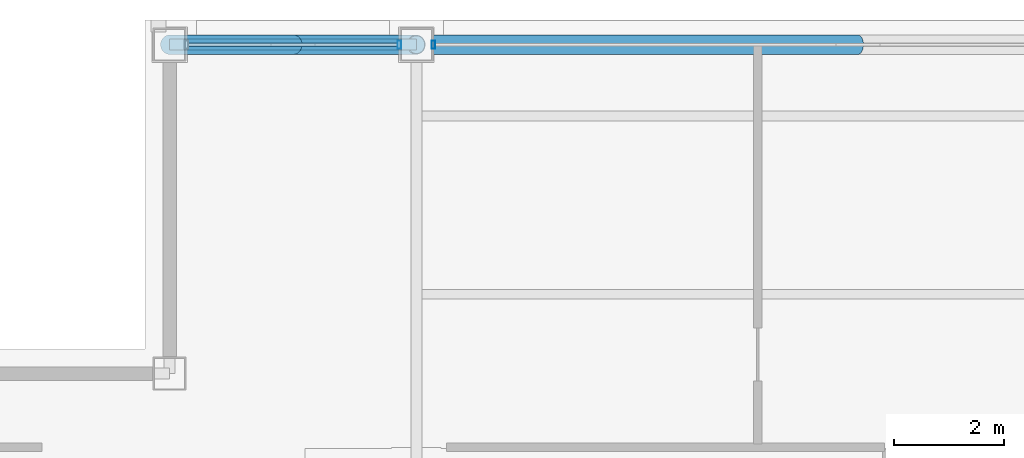
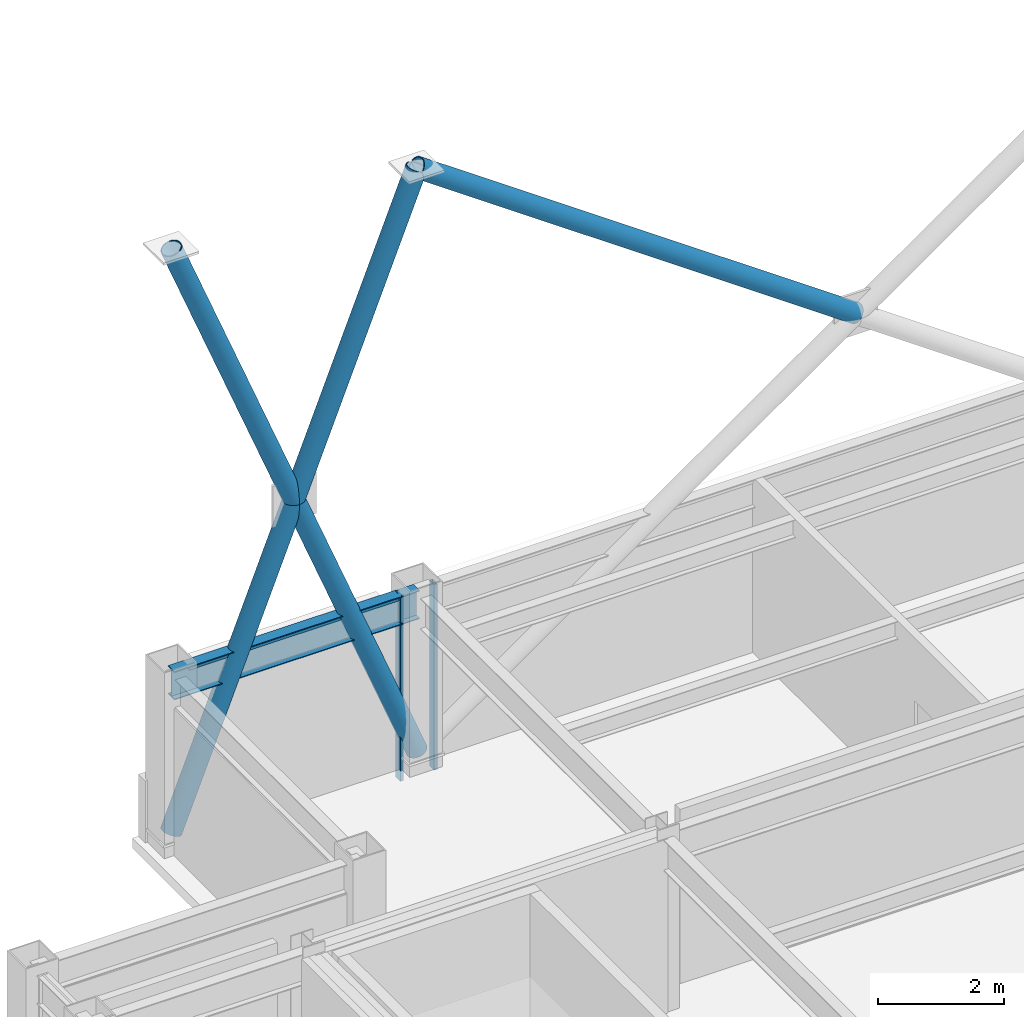
# One storey, part 16 of 24: 7 members, 1 beam, 2 elements without a shape of their own.
"""IFC4 building model written with IfcOpenShell, lengths in metres."""

from ifc_helpers import new_model, si_unit, direction, frame, origin, origin_2d, place, context, subcontext, project, spatial, hollow_rectangle, hollow_circle, i_section, extrude, material, layer, layer_set, material_profile, profile_set, type_object, element, aggregate, save


model = new_model("IFC4")

# Units and contexts
model_context = context("Model", 3, precision=1e-05, world=origin(), true_north=direction((0.0, 1.0)))
body_context = subcontext(model_context, "Body", "Model", "MODEL_VIEW")
ifc_project = project(units=[si_unit("LENGTHUNIT", "METRE"), si_unit("AREAUNIT", "SQUARE_METRE"), si_unit("VOLUMEUNIT", "CUBIC_METRE"), si_unit("PLANEANGLEUNIT", "RADIAN"), si_unit("MASSUNIT", "GRAM", prefix="KILO")], contexts=[model_context])

# Site, building, storey
site_placement = place(None, origin())
site = spatial("IfcSite", under=ifc_project, at=site_placement, CompositionType="ELEMENT")
building_placement = place(site_placement, origin())
building = spatial("IfcBuilding", under=site, at=building_placement, Name="Brelmoor Portico Tower", CompositionType="ELEMENT")
storey_placement = place(building_placement, frame((0.0, 0.0, 268.800048828125)))
storey = spatial("IfcBuildingStorey", under=building, at=storey_placement, Name="L71", CompositionType="ELEMENT", Elevation=268.800048828125)

# Beam
ifc_material_1 = material(Name="Steel Q355B", Category="steel")
ifc_material_profile_1 = material_profile(ifc_material_1, i_section(OverallWidth=0.199951171875, OverallDepth=0.550048828125, WebThickness=0.010009765625, FlangeThickness=0.01611328125, at=origin_2d()), Name="HN 550x200x10x16")
ifc_profile_set_1 = profile_set([ifc_material_profile_1], Name="Steel Q355B")
beam_type = type_object("IfcBeamType", Name="BM-SP-550", PredefinedType="SPANDREL", material=ifc_profile_set_1)
beam_placement = place(storey_placement, frame((-12.550048828125, 17.550048828125, 3.125), z_axis=(1.0, 0.0, 0.0), x_axis=(0.0, 1.0, 0.0)))
element("IfcBeam", 1, at=beam_placement, inside=storey, type_object=beam_type, Name="L71 Perimeter Spandrel Beam SP-08", PredefinedType="SPANDREL", context=body_context, shape_type="SweptSolid", body=[
    extrude(i_section(OverallWidth=0.199951171875, OverallDepth=0.550048828125, WebThickness=0.010009765625, FlangeThickness=0.01611328125, at=origin_2d()), origin(), (0.0, 0.0, 1.0), 4.5),
])

# Members
ifc_material_profile_2 = material_profile(ifc_material_1, hollow_circle(Radius=0.177978515625, WallThickness=0.01611328125, at=origin_2d()), Name="CHS 356x16")
ifc_profile_set_2 = profile_set([ifc_material_profile_2], Name="Steel Q355B")
member_type_1 = type_object("IfcMemberType", Name="MB-BELT-DIAG2", PredefinedType="BRACE", material=ifc_profile_set_2)
member_1_placement = place(storey_placement, frame((-12.550048828125, 17.550048828125, 0.25), z_axis=(0.369971343663, 0.0, 0.929043166311), x_axis=(0.0, 1.0, 0.0)))
element("IfcMember", 2, at=member_1_placement, inside=storey, type_object=member_type_1, Name="L71 Continuous Mega-X Brace 158A", PredefinedType="BRACE", context=body_context, shape_type="SweptSolid", body=[
    extrude(hollow_circle(Radius=0.177978515625, WallThickness=0.01611328125, at=origin_2d()), origin(), (0.0, 0.0, 1.0), 12.1630859375),
])
member_2_placement = place(storey_placement, frame((-8.050048828125, 17.550048828125, 0.25), z_axis=(-0.369978242995, 0.0, 0.929040418771), x_axis=(0.0, -1.0, 0.0)))
element("IfcMember", 3, at=member_2_placement, inside=storey, type_object=member_type_1, Name="L71 Split Mega-X Brace 158B1", PredefinedType="BRACE", context=body_context, shape_type="SweptSolid", body=[
    extrude(hollow_circle(Radius=0.177978515625, WallThickness=0.01611328125, at=origin_2d()), origin(), (0.0, 0.0, 1.0), 6.08154296875),
])
member_3_placement = place(storey_placement, frame((-10.300048828125, 17.550048828125, 5.89990234375), z_axis=(-0.369964444567, 0.0, 0.929045913696), x_axis=(0.0, -1.0, 0.0)))
element("IfcMember", 4, at=member_3_placement, inside=storey, type_object=member_type_1, Name="L71 Split Mega-X Brace 158B2", PredefinedType="BRACE", context=body_context, shape_type="SweptSolid", body=[
    extrude(hollow_circle(Radius=0.177978515625, WallThickness=0.01611328125, at=origin_2d()), origin(), (0.0, 0.0, 1.0), 6.081787109375),
])
member_4_placement = place(storey_placement, frame((0.0, 17.550048828125, 5.89990234375), z_axis=(-0.81850938709, 0.0, 0.57449315335), x_axis=(0.0, -1.0, 0.0)))
element("IfcMember", 5, at=member_4_placement, inside=storey, type_object=member_type_1, Name="L71 Split Mega-X Brace 159B2", PredefinedType="BRACE", context=body_context, shape_type="SweptSolid", body=[
    extrude(hollow_circle(Radius=0.177978515625, WallThickness=0.01611328125, at=origin_2d()), origin(), (0.0, 0.0, 1.0), 9.8349609375),
])

# Curtain wall, member
ifc_material_2 = material(Name="Anodised Aluminium Alloy 6063-T6", Category="aluminium")
ifc_layer = layer(ifc_material_2, 0.179931640625)
ifc_layer_set = layer_set([ifc_layer], Name="Anodised Aluminium Alloy 6063-T6")
curtain_wall_type = type_object("IfcCurtainWallType", Name="CW-TOWER-Z4-XB", PredefinedType="NOTDEFINED", material=ifc_layer_set)
curtain_wall_1_placement = place(storey_placement, origin())
curtain_wall_1 = element("IfcCurtainWall", 6, at=curtain_wall_1_placement, inside=storey, type_object=curtain_wall_type, Name="L71 Curtain Wall CW-L71-02-1", PredefinedType="NOTDEFINED")
ifc_material_profile_3 = material_profile(ifc_material_2, hollow_rectangle(XDim=0.06005859375, YDim=0.14990234375, WallThickness=0.00390625, at=origin_2d()), Name="ALU MULLION 60x150")
ifc_profile_set_3 = profile_set([ifc_material_profile_3], Name="Anodised Aluminium Alloy 6063-T6")
member_type_2 = type_object("IfcMemberType", Name="MB-CW-MULL-150", PredefinedType="MULLION", material=ifc_profile_set_3)
member_5_placement = place(storey_placement, frame((-8.360107421875, 17.550048828125, -0.199951171875), z_axis=(0.0, 0.0, 1.0), x_axis=(1.0, 0.0, 0.0)))
member_5 = element("IfcMember", 7, at=member_5_placement, type_object=member_type_2, Name="CW-L71-02-1 Mullion 01", PredefinedType="MULLION", context=body_context, shape_type="SweptSolid", body=[
    extrude(hollow_rectangle(XDim=0.06005859375, YDim=0.14990234375, WallThickness=0.00390625, at=origin_2d()), origin(), (0.0, 0.0, 1.0), 3.599853515625),
])

curtain_wall_2_placement = place(storey_placement, origin())
curtain_wall_2 = element("IfcCurtainWall", 8, at=curtain_wall_2_placement, inside=storey, type_object=curtain_wall_type, Name="L71 Curtain Wall CW-L71-02-2", PredefinedType="NOTDEFINED")
member_6_placement = place(storey_placement, frame((-7.739990234375, 17.550048828125, -0.199951171875), z_axis=(0.0, 0.0, 1.0), x_axis=(1.0, 0.0, 0.0)))
member_6 = element("IfcMember", 9, at=member_6_placement, type_object=member_type_2, Name="CW-L71-02-2 Mullion 00", PredefinedType="MULLION", context=body_context, shape_type="SweptSolid", body=[
    extrude(hollow_rectangle(XDim=0.06005859375, YDim=0.14990234375, WallThickness=0.00390625, at=origin_2d()), origin(), (0.0, 0.0, 1.0), 3.599853515625),
])
aggregate(curtain_wall_2, [member_6])

# Member
ifc_material_profile_4 = material_profile(ifc_material_2, hollow_rectangle(XDim=0.06005859375, YDim=0.125, WallThickness=0.00341796875, at=origin_2d()), Name="ALU TRANSOM 60x125")
ifc_profile_set_4 = profile_set([ifc_material_profile_4], Name="Anodised Aluminium Alloy 6063-T6")
member_type_3 = type_object("IfcMemberType", Name="MB-CW-TRAN-125", PredefinedType="USERDEFINED", material=ifc_profile_set_4)
member_7_placement = place(storey_placement, frame((-12.239990234375, 17.550048828125, 3.33740234375), z_axis=(1.0, 0.0, 0.0), x_axis=(0.0, 1.0, 0.0)))
member_7 = element("IfcMember", 10, at=member_7_placement, type_object=member_type_3, Name="CW-L71-02-1 Transom 1-00", ObjectType="TRANSOM", PredefinedType="USERDEFINED", context=body_context, shape_type="SweptSolid", body=[
    extrude(hollow_rectangle(XDim=0.06005859375, YDim=0.125, WallThickness=0.00341796875, at=origin_2d()), origin(), (0.0, 0.0, 1.0), 3.8798828125),
])

aggregate(curtain_wall_1, [member_5, member_7])

save(model, "model.ifc")
